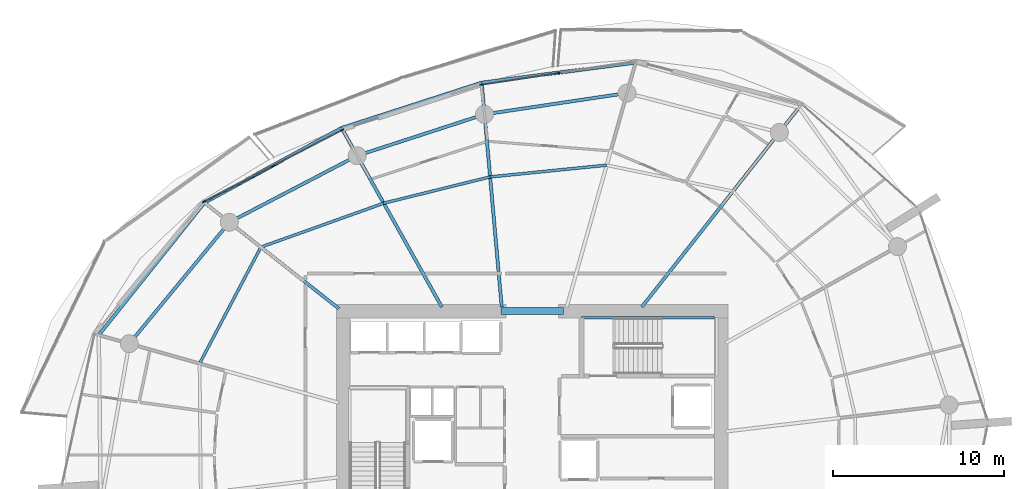
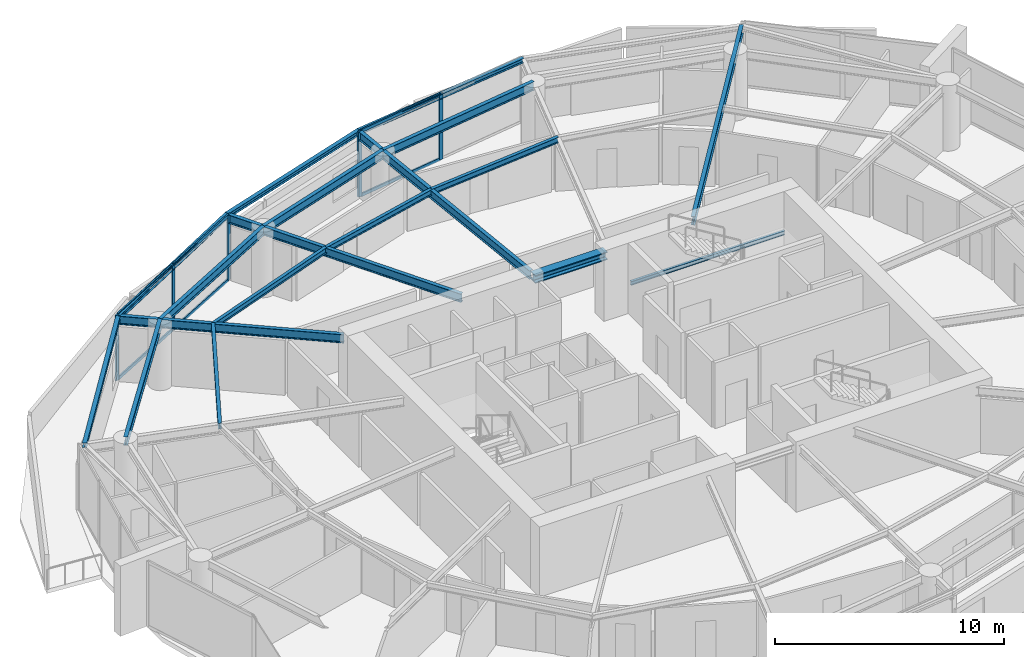
# One storey, part 8 of 20: 18 beams, 11 members, 2 elements without a shape of their own.
"""IFC4 building model written with IfcOpenShell, lengths in metres."""

from ifc_helpers import new_model, si_unit, direction, frame, origin, origin_2d, place, context, subcontext, project, spatial, rectangle, i_section, extrude, material, layer, layer_set, material_profile, profile_set, type_object, element, aggregate, save


model = new_model("IFC4")

# Units and contexts
model_context = context("Model", 3, precision=1e-05, world=origin(), true_north=direction((0.0, 1.0)))
body_context = subcontext(model_context, "Body", "Model", "MODEL_VIEW")
ifc_project = project(units=[si_unit("LENGTHUNIT", "METRE"), si_unit("AREAUNIT", "SQUARE_METRE"), si_unit("VOLUMEUNIT", "CUBIC_METRE"), si_unit("PLANEANGLEUNIT", "RADIAN"), si_unit("MASSUNIT", "GRAM", prefix="KILO")], contexts=[model_context])

# Site, building, storey
site_placement = place(None, origin())
site = spatial("IfcSite", under=ifc_project, at=site_placement, CompositionType="ELEMENT")
building_placement = place(site_placement, origin())
building = spatial("IfcBuilding", under=site, at=building_placement, Name="Kazma Halo Residences", CompositionType="ELEMENT")
storey_placement = place(building_placement, frame((0.0, 0.0, 135.300048828125)))
storey = spatial("IfcBuildingStorey", under=building, at=storey_placement, Name="L33", CompositionType="ELEMENT", Elevation=135.300048828125)

# Beams
ifc_material_1 = material(Name="Steel S355", Category="steel")
ifc_material_profile_1 = material_profile(ifc_material_1, i_section(OverallWidth=0.201904296875, OverallDepth=0.2470703125, WebThickness=0.00732421875, FlangeThickness=0.010986328125, FilletRadius=0.011962890625, at=origin_2d()), Name="W250x49.1")
ifc_profile_set_1 = profile_set([ifc_material_profile_1], Name="Steel S355")
beam_type_1 = type_object("IfcBeamType", Name="BM-BAL-CANT", PredefinedType="BEAM", material=ifc_profile_set_1)
beam_1_placement = place(storey_placement, frame((54.459228515625, 64.90234375, 3.37646484375), z_axis=(-0.991489228614, -0.130188745839, 0.0), x_axis=(0.130188745839, -0.991489228614, 0.0)))
element("IfcBeam", 1, at=beam_1_placement, inside=storey, type_object=beam_type_1, Name="L33 wave-balcony tie beam 03", PredefinedType="BEAM", context=body_context, shape_type="SweptSolid", body=[
    extrude(i_section(OverallWidth=0.201904296875, OverallDepth=0.2470703125, WebThickness=0.00732421875, FlangeThickness=0.010986328125, FilletRadius=0.011962890625, at=origin_2d()), origin(), (0.0, 0.0, 1.0), 9.053955078125),
])
beam_2_placement = place(storey_placement, frame((45.482421875, 63.7236328125, 3.37646484375), z_axis=(-0.951458235255, -0.307777885115, 0.0), x_axis=(0.307777885115, -0.951458235255, 0.0)))
element("IfcBeam", 2, at=beam_2_placement, inside=storey, type_object=beam_type_1, Name="L33 wave-balcony tie beam 04", PredefinedType="BEAM", context=body_context, shape_type="SweptSolid", body=[
    extrude(i_section(OverallWidth=0.201904296875, OverallDepth=0.2470703125, WebThickness=0.00732421875, FlangeThickness=0.010986328125, FilletRadius=0.011962890625, at=origin_2d()), origin(), (0.0, 0.0, 1.0), 8.585205078125),
])
beam_3_placement = place(storey_placement, frame((37.31396484375, 61.081298828125, 3.37646484375), z_axis=(-0.878572913315, -0.477608245312, 0.0), x_axis=(0.477608245312, -0.878572913315, 0.0)))
element("IfcBeam", 3, at=beam_3_placement, inside=storey, type_object=beam_type_1, Name="L33 wave-balcony tie beam 05", PredefinedType="BEAM", context=body_context, shape_type="SweptSolid", body=[
    extrude(i_section(OverallWidth=0.201904296875, OverallDepth=0.2470703125, WebThickness=0.00732421875, FlangeThickness=0.010986328125, FilletRadius=0.011962890625, at=origin_2d()), origin(), (0.0, 0.0, 1.0), 9.107177734375),
])
beam_4_placement = place(storey_placement, frame((29.312744140625, 56.731689453125, 3.37646484375), z_axis=(-0.623742400336, -0.781629975131, 0.0), x_axis=(0.781629975131, -0.623742400336, 0.0)))
element("IfcBeam", 4, at=beam_4_placement, inside=storey, type_object=beam_type_1, Name="L33 wave-balcony tie beam 06", PredefinedType="BEAM", context=body_context, shape_type="SweptSolid", body=[
    extrude(i_section(OverallWidth=0.201904296875, OverallDepth=0.2470703125, WebThickness=0.00732421875, FlangeThickness=0.010986328125, FilletRadius=0.011962890625, at=origin_2d()), origin(), (0.0, 0.0, 1.0), 9.880859375),
])
ifc_material_profile_2 = material_profile(ifc_material_1, i_section(OverallWidth=0.408935546875, OverallDepth=0.425048828125, WebThickness=0.03271484375, FlangeThickness=0.052490234375, FilletRadius=0.02001953125, at=origin_2d()), Name="W360x421")
ifc_profile_set_2 = profile_set([ifc_material_profile_2], Name="Steel S355")
beam_type_2 = type_object("IfcBeamType", Name="BM-CORE-W360H", PredefinedType="BEAM", material=ifc_profile_set_2)
beam_5_placement = place(storey_placement, frame((46.60009765625, 50.39990234375, 3.287353515625), z_axis=(1.0, 0.0, 0.0), x_axis=(0.0, 1.0, 0.0)))
element("IfcBeam", 5, at=beam_5_placement, inside=storey, type_object=beam_type_2, Name="L33 core coupling beam N", PredefinedType="BEAM", context=body_context, shape_type="SweptSolid", body=[
    extrude(i_section(OverallWidth=0.408935546875, OverallDepth=0.425048828125, WebThickness=0.03271484375, FlangeThickness=0.052490234375, FilletRadius=0.02001953125, at=origin_2d()), origin(), (0.0, 0.0, 1.0), 3.64990234375),
])
ifc_material_profile_3 = material_profile(ifc_material_1, i_section(OverallWidth=0.18994140625, OverallDepth=0.45703125, WebThickness=0.009033203125, FlangeThickness=0.014404296875, FilletRadius=0.01611328125, at=origin_2d()), Name="W460x74")
ifc_profile_set_3 = profile_set([ifc_material_profile_3], Name="Steel S355")
beam_type_3 = type_object("IfcBeamType", Name="BM-RAD-W460", PredefinedType="BEAM", material=ifc_profile_set_3)
beam_6_placement = place(storey_placement, frame((54.819091796875, 50.64990234375, 3.271484375), z_axis=(0.619094498239, 0.785316498139, 0.0), x_axis=(-0.785316498139, 0.619094498239, 0.0)))
element("IfcBeam", 6, at=beam_6_placement, inside=storey, type_object=beam_type_3, Name="L33 radial floor beam 02", PredefinedType="BEAM", context=body_context, shape_type="SweptSolid", body=[
    extrude(i_section(OverallWidth=0.18994140625, OverallDepth=0.45703125, WebThickness=0.009033203125, FlangeThickness=0.014404296875, FilletRadius=0.01611328125, at=origin_2d()), origin(), (0.0, 0.0, 1.0), 14.80517578125),
])
beam_7_placement = place(storey_placement, frame((46.64990234375, 50.64990234375, 3.271484375), z_axis=(-0.088945777727, 0.996036469525, 0.0), x_axis=(-0.996036469525, -0.088945777727, 0.0)))
element("IfcBeam", 7, at=beam_7_placement, inside=storey, type_object=beam_type_3, Name="L33 radial floor beam 04", PredefinedType="BEAM", context=body_context, shape_type="SweptSolid", body=[
    extrude(i_section(OverallWidth=0.18994140625, OverallDepth=0.45703125, WebThickness=0.009033203125, FlangeThickness=0.014404296875, FilletRadius=0.01611328125, at=origin_2d()), origin(), (0.0, 0.0, 1.0), 13.125732421875),
])
beam_8_placement = place(storey_placement, frame((43.15576171875, 50.64990234375, 3.271484375), z_axis=(-0.488617048735, 0.872498355119, 0.0), x_axis=(-0.872498355119, -0.488617048735, 0.0)))
element("IfcBeam", 8, at=beam_8_placement, inside=storey, type_object=beam_type_3, Name="L33 radial floor beam 05", PredefinedType="BEAM", context=body_context, shape_type="SweptSolid", body=[
    extrude(i_section(OverallWidth=0.18994140625, OverallDepth=0.45703125, WebThickness=0.009033203125, FlangeThickness=0.014404296875, FilletRadius=0.01611328125, at=origin_2d()), origin(), (0.0, 0.0, 1.0), 11.955810546875),
])
beam_9_placement = place(storey_placement, frame((37.14990234375, 50.553466796875, 3.271484375), z_axis=(-0.785321544409, 0.619088097032, 0.0), x_axis=(-0.619088097032, -0.785321544409, 0.0)))
element("IfcBeam", 9, at=beam_9_placement, inside=storey, type_object=beam_type_3, Name="L33 radial floor beam 06", PredefinedType="BEAM", context=body_context, shape_type="SweptSolid", body=[
    extrude(i_section(OverallWidth=0.18994140625, OverallDepth=0.45703125, WebThickness=0.009033203125, FlangeThickness=0.014404296875, FilletRadius=0.01611328125, at=origin_2d()), origin(), (0.0, 0.0, 1.0), 9.9794921875),
])
ifc_material_profile_4 = material_profile(ifc_material_1, i_section(OverallWidth=0.1650390625, OverallDepth=0.31005859375, WebThickness=0.005859375, FlangeThickness=0.009765625, FilletRadius=0.011962890625, at=origin_2d()), Name="W310x38.7")
ifc_profile_set_4 = profile_set([ifc_material_profile_4], Name="Steel S355")
beam_type_4 = type_object("IfcBeamType", Name="BM-SEC-W310B", PredefinedType="JOIST", material=ifc_profile_set_4)
beam_10_placement = place(storey_placement, frame((52.77099609375, 58.91650390625, 3.344970703125), z_axis=(-0.994979001613, -0.100083896557, 0.0), x_axis=(0.100083896557, -0.994979001613, 0.0)))
element("IfcBeam", 10, at=beam_10_placement, inside=storey, type_object=beam_type_4, Name="L33 circumferential floor joist 03", PredefinedType="JOIST", context=body_context, shape_type="SweptSolid", body=[
    extrude(i_section(OverallWidth=0.1650390625, OverallDepth=0.31005859375, WebThickness=0.005859375, FlangeThickness=0.009765625, FilletRadius=0.011962890625, at=origin_2d()), origin(), (0.0, 0.0, 1.0), 6.832763671875),
])
beam_11_placement = place(storey_placement, frame((45.97265625, 58.232666015625, 3.344970703125), z_axis=(-0.970830601663, -0.239766434004, 0.0), x_axis=(0.239766434004, -0.970830601663, 0.0)))
element("IfcBeam", 11, at=beam_11_placement, inside=storey, type_object=beam_type_4, Name="L33 circumferential floor joist 04", PredefinedType="JOIST", context=body_context, shape_type="SweptSolid", body=[
    extrude(i_section(OverallWidth=0.1650390625, OverallDepth=0.31005859375, WebThickness=0.005859375, FlangeThickness=0.009765625, FilletRadius=0.011962890625, at=origin_2d()), origin(), (0.0, 0.0, 1.0), 6.3916015625),
])
beam_12_placement = place(storey_placement, frame((39.767578125, 56.7001953125, 3.344970703125), z_axis=(-0.941534087973, -0.336917736525, 0.0), x_axis=(0.336917736525, -0.941534087973, 0.0)))
element("IfcBeam", 12, at=beam_12_placement, inside=storey, type_object=beam_type_4, Name="L33 circumferential floor joist 05", PredefinedType="JOIST", context=body_context, shape_type="SweptSolid", body=[
    extrude(i_section(OverallWidth=0.1650390625, OverallDepth=0.31005859375, WebThickness=0.005859375, FlangeThickness=0.009765625, FilletRadius=0.011962890625, at=origin_2d()), origin(), (0.0, 0.0, 1.0), 7.60791015625),
])
beam_13_placement = place(storey_placement, frame((32.6044921875, 54.136962890625, 3.344970703125), z_axis=(-0.466019257875, -0.884774576539, 0.0), x_axis=(0.884774576539, -0.466019257875, 0.0)))
element("IfcBeam", 13, at=beam_13_placement, inside=storey, type_object=beam_type_4, Name="L33 circumferential floor joist 06", PredefinedType="JOIST", context=body_context, shape_type="SweptSolid", body=[
    extrude(i_section(OverallWidth=0.1650390625, OverallDepth=0.31005859375, WebThickness=0.005859375, FlangeThickness=0.009765625, FilletRadius=0.011962890625, at=origin_2d()), origin(), (0.0, 0.0, 1.0), 7.670654296875),
])
ifc_material_profile_5 = material_profile(ifc_material_1, i_section(OverallWidth=0.18994140625, OverallDepth=0.45703125, WebThickness=0.009033203125, FlangeThickness=0.014404296875, FilletRadius=0.01611328125, at=origin_2d()), Name="W460x74")
ifc_profile_set_5 = profile_set([ifc_material_profile_5], Name="Steel S355")
beam_type_5 = type_object("IfcBeamType", Name="BM-SPN-W460", PredefinedType="BEAM", material=ifc_profile_set_5)
beam_14_placement = place(storey_placement, frame((53.95703125, 63.121826171875, 3.271484375), z_axis=(-0.989037147603, -0.147666924735, 0.0), x_axis=(0.147666924735, -0.989037147603, 0.0)))
element("IfcBeam", 14, at=beam_14_placement, inside=storey, type_object=beam_type_5, Name="L33 perimeter ring beam 03", PredefinedType="BEAM", context=body_context, shape_type="SweptSolid", body=[
    extrude(i_section(OverallWidth=0.18994140625, OverallDepth=0.45703125, WebThickness=0.009033203125, FlangeThickness=0.014404296875, FilletRadius=0.01611328125, at=origin_2d()), origin(), (0.0, 0.0, 1.0), 8.402099609375),
])
beam_15_placement = place(storey_placement, frame((45.64697265625, 61.881103515625, 3.271484375), z_axis=(-0.95105634578, -0.309017519167, 0.0), x_axis=(0.309017519167, -0.95105634578, 0.0)))
element("IfcBeam", 15, at=beam_15_placement, inside=storey, type_object=beam_type_5, Name="L33 perimeter ring beam 04", PredefinedType="BEAM", context=body_context, shape_type="SweptSolid", body=[
    extrude(i_section(OverallWidth=0.18994140625, OverallDepth=0.45703125, WebThickness=0.009033203125, FlangeThickness=0.014404296875, FilletRadius=0.01611328125, at=origin_2d()), origin(), (0.0, 0.0, 1.0), 7.811279296875),
])
beam_16_placement = place(storey_placement, frame((38.218017578125, 59.46728515625, 3.271484375), z_axis=(-0.886943099021, -0.461878706046, 0.0), x_axis=(0.461878706046, -0.886943099021, 0.0)))
element("IfcBeam", 16, at=beam_16_placement, inside=storey, type_object=beam_type_5, Name="L33 perimeter ring beam 05", PredefinedType="BEAM", context=body_context, shape_type="SweptSolid", body=[
    extrude(i_section(OverallWidth=0.18994140625, OverallDepth=0.45703125, WebThickness=0.009033203125, FlangeThickness=0.014404296875, FilletRadius=0.01611328125, at=origin_2d()), origin(), (0.0, 0.0, 1.0), 8.40234375),
])
beam_17_placement = place(storey_placement, frame((30.765625, 55.58642578125, 3.271484375), z_axis=(-0.636018723515, -0.771673624882, 0.0), x_axis=(0.771673624882, -0.636018723515, 0.0)))
element("IfcBeam", 17, at=beam_17_placement, inside=storey, type_object=beam_type_5, Name="L33 perimeter ring beam 06", PredefinedType="BEAM", context=body_context, shape_type="SweptSolid", body=[
    extrude(i_section(OverallWidth=0.18994140625, OverallDepth=0.45703125, WebThickness=0.009033203125, FlangeThickness=0.014404296875, FilletRadius=0.01611328125, at=origin_2d()), origin(), (0.0, 0.0, 1.0), 9.175048828125),
])
ifc_material_profile_6 = material_profile(ifc_material_1, i_section(OverallWidth=0.133056640625, OverallDepth=0.20703125, WebThickness=0.005859375, FlangeThickness=0.00830078125, FilletRadius=0.010009765625, at=origin_2d()), Name="W200x26.6")
ifc_profile_set_6 = profile_set([ifc_material_profile_6], Name="Steel S355")
beam_type_6 = type_object("IfcBeamType", Name="BM-TRIM-W200", PredefinedType="BEAM", material=ifc_profile_set_6)
beam_18_placement = place(storey_placement, frame((51.31005859375, 50.02001953125, 1.570068359375), z_axis=(1.0, 0.0, 0.0), x_axis=(0.0, 1.0, 0.0)))
element("IfcBeam", 18, at=beam_18_placement, inside=storey, type_object=beam_type_6, Name="L33 ST-02 landing north wall ledger", PredefinedType="BEAM", context=body_context, shape_type="SweptSolid", body=[
    extrude(i_section(OverallWidth=0.133056640625, OverallDepth=0.20703125, WebThickness=0.005859375, FlangeThickness=0.00830078125, FilletRadius=0.010009765625, at=origin_2d()), origin(), (0.0, 0.0, 1.0), 7.760009765625),
])

# Curtain wall, members
ifc_material_2 = material(Name="Aluminium AW-6063 T6 and Triple-Silver Low-E Glass", Category="aluminium")
ifc_layer = layer(ifc_material_2, 0.219970703125)
ifc_layer_set = layer_set([ifc_layer], Name="Aluminium AW-6063 T6 and Triple-Silver Low-E Glass")
curtain_wall_type = type_object("IfcCurtainWallType", Name="CW-SYS-4", PredefinedType="NOTDEFINED", material=ifc_layer_set)
curtain_wall_1_placement = place(storey_placement, origin())
curtain_wall_1 = element("IfcCurtainWall", 19, at=curtain_wall_1_placement, inside=storey, type_object=curtain_wall_type, Name="L33 unitised curtain wall B03", PredefinedType="NOTDEFINED")
ifc_material_3 = material(Name="Aluminium AW-6063 T6", Category="aluminium")
ifc_material_profile_7 = material_profile(ifc_material_3, rectangle(XDim=0.074951171875, YDim=0.219970703125, at=origin_2d()), Name="CWM-75x220")
ifc_profile_set_7 = profile_set([ifc_material_profile_7], Name="Aluminium AW-6063 T6")
member_type_1 = type_object("IfcMemberType", Name="CW-SYS-4-MUL", PredefinedType="MULLION", material=ifc_profile_set_7)
member_1_placement = place(storey_placement, frame((49.960205078125, 64.28857421875, 0.0), z_axis=(0.0, 0.0, 1.0), x_axis=(0.148821022686, -0.988864148004, 0.0)))
member_1 = element("IfcMember", 20, at=member_1_placement, type_object=member_type_1, Name="CWS-4 mullion 2", PredefinedType="MULLION", context=body_context, shape_type="SweptSolid", body=[
    extrude(rectangle(XDim=0.074951171875, YDim=0.219970703125, at=origin_2d()), origin(), (0.0, 0.0, 1.0), 3.5),
])
member_2_placement = place(storey_placement, frame((45.4794921875, 63.6142578125, 0.0), z_axis=(0.0, 0.0, 1.0), x_axis=(0.148821022686, -0.988864148004, 0.0)))
member_2 = element("IfcMember", 21, at=member_2_placement, type_object=member_type_1, Name="CWS-4 mullion 3", PredefinedType="MULLION", context=body_context, shape_type="SweptSolid", body=[
    extrude(rectangle(XDim=0.074951171875, YDim=0.219970703125, at=origin_2d()), origin(), (0.0, 0.0, 1.0), 3.5),
])

curtain_wall_2_placement = place(storey_placement, origin())
curtain_wall_2 = element("IfcCurtainWall", 22, at=curtain_wall_2_placement, inside=storey, type_object=curtain_wall_type, Name="L33 unitised curtain wall B05", PredefinedType="NOTDEFINED")
member_3_placement = place(storey_placement, frame((37.33447265625, 60.9677734375, 0.0), z_axis=(0.0, 0.0, 1.0), x_axis=(0.460837484552, -0.887484542306, 0.0)))
member_3 = element("IfcMember", 23, at=member_3_placement, type_object=member_type_1, Name="CWS-4 mullion 1", PredefinedType="MULLION", context=body_context, shape_type="SweptSolid", body=[
    extrude(rectangle(XDim=0.074951171875, YDim=0.219970703125, at=origin_2d()), origin(), (0.0, 0.0, 1.0), 3.5),
])
member_4_placement = place(storey_placement, frame((33.313232421875, 58.879638671875, 0.0), z_axis=(0.0, 0.0, 1.0), x_axis=(0.460837484552, -0.887484542306, 0.0)))
member_4 = element("IfcMember", 24, at=member_4_placement, type_object=member_type_1, Name="CWS-4 mullion 2", PredefinedType="MULLION", context=body_context, shape_type="SweptSolid", body=[
    extrude(rectangle(XDim=0.074951171875, YDim=0.219970703125, at=origin_2d()), origin(), (0.0, 0.0, 1.0), 3.5),
])
member_5_placement = place(storey_placement, frame((29.2919921875, 56.791748046875, 0.0), z_axis=(0.0, 0.0, 1.0), x_axis=(0.460837484552, -0.887484542306, 0.0)))
member_5 = element("IfcMember", 25, at=member_5_placement, type_object=member_type_1, Name="CWS-4 mullion 3", PredefinedType="MULLION", context=body_context, shape_type="SweptSolid", body=[
    extrude(rectangle(XDim=0.074951171875, YDim=0.219970703125, at=origin_2d()), origin(), (0.0, 0.0, 1.0), 3.5),
])

# Member
ifc_material_profile_8 = material_profile(ifc_material_3, rectangle(XDim=0.074951171875, YDim=0.1650390625, at=origin_2d()), Name="CWT-75x165")
ifc_profile_set_8 = profile_set([ifc_material_profile_8], Name="Aluminium AW-6063 T6")
member_type_2 = type_object("IfcMemberType", Name="CW-SYS-4-TRN", PredefinedType="USERDEFINED", material=ifc_profile_set_8)
member_6_placement = place(storey_placement, frame((49.923095703125, 64.282958984375, 0.037353515625), z_axis=(-0.988866721231, -0.148803923478, 0.0), x_axis=(0.148803923478, -0.988866721231, 0.0)))
member_6 = element("IfcMember", 26, at=member_6_placement, type_object=member_type_2, Name="CWS-4 transom 2.1", ObjectType="TRANSOM", PredefinedType="USERDEFINED", context=body_context, shape_type="SweptSolid", body=[
    extrude(rectangle(XDim=0.074951171875, YDim=0.1650390625, at=origin_2d()), origin(), (0.0, 0.0, 1.0), 4.4560546875),
])

member_7_placement = place(storey_placement, frame((49.923095703125, 64.282958984375, 3.46240234375), z_axis=(-0.988866721231, -0.148803923478, 0.0), x_axis=(0.148803923478, -0.988866721231, 0.0)))
member_7 = element("IfcMember", 27, at=member_7_placement, type_object=member_type_2, Name="CWS-4 transom 2.2", ObjectType="TRANSOM", PredefinedType="USERDEFINED", context=body_context, shape_type="SweptSolid", body=[
    extrude(rectangle(XDim=0.074951171875, YDim=0.1650390625, at=origin_2d()), origin(), (0.0, 0.0, 1.0), 4.4560546875),
])

aggregate(curtain_wall_1, [member_1, member_2, member_6, member_7])

member_8_placement = place(storey_placement, frame((37.30126953125, 60.950439453125, 0.037353515625), z_axis=(-0.887484872803, -0.460836848077, 0.0), x_axis=(0.460836848077, -0.887484872803, 0.0)))
member_8 = element("IfcMember", 28, at=member_8_placement, type_object=member_type_2, Name="CWS-4 transom 1.1", ObjectType="TRANSOM", PredefinedType="USERDEFINED", context=body_context, shape_type="SweptSolid", body=[
    extrude(rectangle(XDim=0.074951171875, YDim=0.1650390625, at=origin_2d()), origin(), (0.0, 0.0, 1.0), 4.4560546875),
])

member_9_placement = place(storey_placement, frame((37.30126953125, 60.950439453125, 3.46240234375), z_axis=(-0.887484872803, -0.460836848077, 0.0), x_axis=(0.460836848077, -0.887484872803, 0.0)))
member_9 = element("IfcMember", 29, at=member_9_placement, type_object=member_type_2, Name="CWS-4 transom 1.2", ObjectType="TRANSOM", PredefinedType="USERDEFINED", context=body_context, shape_type="SweptSolid", body=[
    extrude(rectangle(XDim=0.074951171875, YDim=0.1650390625, at=origin_2d()), origin(), (0.0, 0.0, 1.0), 4.4560546875),
])

member_10_placement = place(storey_placement, frame((33.280029296875, 58.862548828125, 0.037353515625), z_axis=(-0.887484872803, -0.460836848077, 0.0), x_axis=(0.460836848077, -0.887484872803, 0.0)))
member_10 = element("IfcMember", 30, at=member_10_placement, type_object=member_type_2, Name="CWS-4 transom 2.1", ObjectType="TRANSOM", PredefinedType="USERDEFINED", context=body_context, shape_type="SweptSolid", body=[
    extrude(rectangle(XDim=0.074951171875, YDim=0.1650390625, at=origin_2d()), origin(), (0.0, 0.0, 1.0), 4.4560546875),
])

member_11_placement = place(storey_placement, frame((33.280029296875, 58.862548828125, 3.46240234375), z_axis=(-0.887484872803, -0.460836848077, 0.0), x_axis=(0.460836848077, -0.887484872803, 0.0)))
member_11 = element("IfcMember", 31, at=member_11_placement, type_object=member_type_2, Name="CWS-4 transom 2.2", ObjectType="TRANSOM", PredefinedType="USERDEFINED", context=body_context, shape_type="SweptSolid", body=[
    extrude(rectangle(XDim=0.074951171875, YDim=0.1650390625, at=origin_2d()), origin(), (0.0, 0.0, 1.0), 4.4560546875),
])

aggregate(curtain_wall_2, [member_3, member_4, member_5, member_8, member_9, member_10, member_11])

save(model, "model.ifc")
